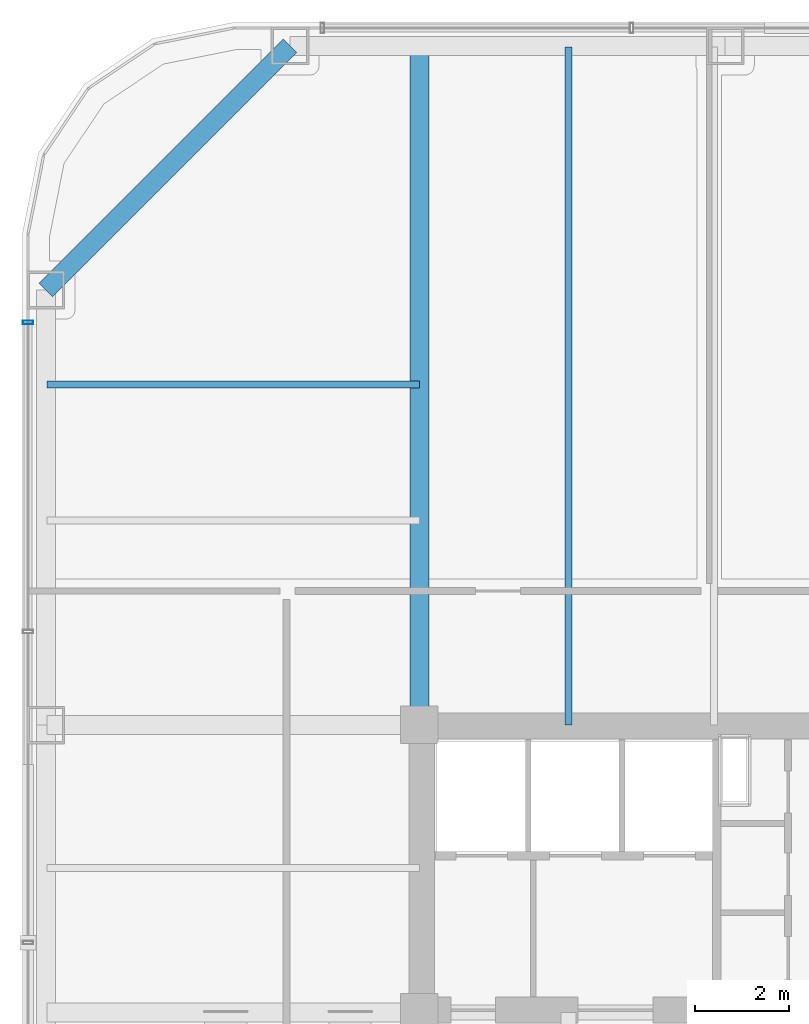
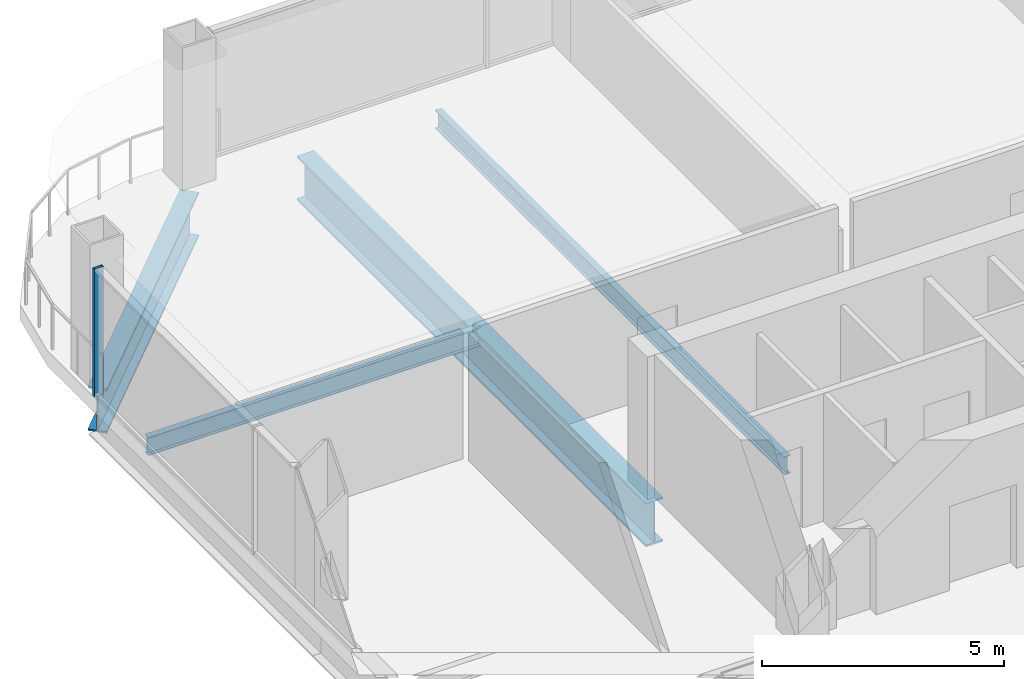
# One storey, part 10 of 20: 4 beams, 1 member, 1 element without a shape of its own.
"""IFC4 building model written with IfcOpenShell, lengths in metres."""

import ifcopenshell
import ifcopenshell.guid

model = None  # the IFC model being written
_history = None  # IfcOwnerHistory: only IFC2X3 demands one
_inside = {}  # id of a spatial element -> (the spatial element, [elements in it])
_under = {}  # id of a project, library or spatial element -> (it, [spatial elements below it])
_declared = {}  # id of a project -> (the project, [libraries it declares])
_typed = {}  # id of a type object -> (the type object, [elements of that type])
_made_of = {}  # id of a material, layer set ... -> (it, [elements and type objects made of it])


def new_model(schema):
    """Start an empty IFC model of exactly this schema.

    Asked for "IFC4X3", IfcOpenShell would pick the latest addendum, in which some entities
    have other attributes; the version numbers below select the first issue.
    IFC2X3 requires an IfcOwnerHistory on every rooted entity: one is made here for all.
    """
    global model, _history
    if schema == "IFC4X3":
        model = ifcopenshell.file(schema_version=(4, 3, 0, 0))
    else:
        model = ifcopenshell.file(schema=schema)
    _inside.clear()
    _under.clear()
    _declared.clear()
    _typed.clear()
    _made_of.clear()
    _history = None
    if model.schema == "IFC2X3":
        org = make("IfcOrganization", Name="unknown")
        user = make(
            "IfcPersonAndOrganization",
            ThePerson=make("IfcPerson", FamilyName="unknown"),
            TheOrganization=org,
        )
        app = make(
            "IfcApplication",
            ApplicationDeveloper=org,
            Version="unknown",
            ApplicationFullName="unknown",
            ApplicationIdentifier="unknown",
        )
        _history = make(
            "IfcOwnerHistory",
            OwningUser=user,
            OwningApplication=app,
            ChangeAction="ADDED",
            CreationDate=0,
        )
    return model


def make(cls, **values):
    """One entity of the class cls with the attributes given. An attribute that is None is left unset."""
    return model.create_entity(
        cls, **{name: value for name, value in values.items() if value is not None}
    )


def rooted(cls, **values):
    """An entity with a GlobalId (a new one), such as an element, a storey or a relation."""
    return make(cls, GlobalId=ifcopenshell.guid.new(), OwnerHistory=_history, **values)


def si_unit(unit_type, name, prefix=None):
    """IfcSIUnit, for example si_unit("LENGTHUNIT", "METRE", prefix="MILLI")."""
    return make("IfcSIUnit", UnitType=unit_type, Prefix=prefix, Name=name)


def assignment(units):
    """IfcUnitAssignment: the units of a project."""
    return None if units is None else make("IfcUnitAssignment", Units=units)


def point(xyz):
    """IfcCartesianPoint."""
    return None if xyz is None else make("IfcCartesianPoint", Coordinates=xyz)


def direction(xyz):
    """IfcDirection."""
    return None if xyz is None else make("IfcDirection", DirectionRatios=xyz)


def frame(location, z_axis=None, x_axis=None):
    """IfcAxis2Placement3D, a coordinate frame: its origin and axes. An axis left out is left unset."""
    return make(
        "IfcAxis2Placement3D",
        Location=point(location),
        Axis=direction(z_axis),
        RefDirection=direction(x_axis),
    )


def frame_2d(location, x_axis=None):
    """IfcAxis2Placement2D, a coordinate frame in the plane: its origin and x axis."""
    return make(
        "IfcAxis2Placement2D", Location=point(location), RefDirection=direction(x_axis)
    )


def origin():
    """The frame at (0, 0, 0) with its axes left unset."""
    return frame((0.0, 0.0, 0.0))


def origin_2d():
    """The frame at (0, 0) in the plane with its x axis left unset."""
    return frame_2d((0.0, 0.0))


def place(relative_to, where):
    """IfcLocalPlacement: puts the frame where relative to a parent placement (None: the world)."""
    return make(
        "IfcLocalPlacement", PlacementRelTo=relative_to, RelativePlacement=where
    )


def context(
    kind, dimensions, precision=None, world=None, true_north=None, identifier=None
):
    """IfcGeometricRepresentationContext, for example the 3D "Model" context."""
    return make(
        "IfcGeometricRepresentationContext",
        ContextIdentifier=identifier,
        ContextType=kind,
        CoordinateSpaceDimension=dimensions,
        Precision=precision,
        WorldCoordinateSystem=world,
        TrueNorth=true_north,
    )


def subcontext(parent, identifier, kind, view, scale=None):
    """IfcGeometricRepresentationSubContext, for example "Body" below "Model"."""
    return make(
        "IfcGeometricRepresentationSubContext",
        ContextIdentifier=identifier,
        ContextType=kind,
        ParentContext=parent,
        TargetScale=scale,
        TargetView=view,
    )


def project(units=None, contexts=None):
    """IfcProject with its units and contexts."""
    return rooted(
        "IfcProject",
        Name="project",
        RepresentationContexts=contexts,
        UnitsInContext=assignment(units),
    )


def spatial(cls, under=None, at=None, **own):
    """A site, building, storey or space (cls), placed at a placement, below another one or the project."""
    s = rooted(cls, ObjectPlacement=at, **own)
    if under is not None:
        _under.setdefault(under.id(), (under, []))[1].append(s)
    return s


def profile(cls, at=None, kind="AREA", **sizes):
    """A parametric profile (cls). Its sizes go by their IFC names, for example OverallWidth=200.0."""
    return make(cls, ProfileType=kind, Position=at, **sizes)


def hollow_rectangle(**sizes):
    """IfcRectangleHollowProfileDef."""
    return profile("IfcRectangleHollowProfileDef", **sizes)


def i_section(**sizes):
    """IfcIShapeProfileDef."""
    return profile("IfcIShapeProfileDef", **sizes)


def extrude(swept, where, along, depth):
    """IfcExtrudedAreaSolid: the profile swept, set in the frame where, extruded along a direction by depth."""
    return make(
        "IfcExtrudedAreaSolid",
        SweptArea=swept,
        Position=where,
        ExtrudedDirection=direction(along),
        Depth=depth,
    )


def shape(context_of_items, identifier, shape_type, items):
    """IfcShapeRepresentation: the items that make up one representation, for example the "Body"."""
    return make(
        "IfcShapeRepresentation",
        ContextOfItems=context_of_items,
        RepresentationIdentifier=identifier,
        RepresentationType=shape_type,
        Items=items,
    )


def material(Name=None, Category=None):
    """IfcMaterial."""
    return make("IfcMaterial", Name=Name, Category=Category)


def layer(
    of_material, thickness, ventilated=None, Name=None, Category=None, Priority=None
):
    """IfcMaterialLayer: one layer of a wall or slab, of a material (None: an air gap)."""
    return make(
        "IfcMaterialLayer",
        Material=of_material,
        LayerThickness=thickness,
        IsVentilated=ventilated,
        Name=Name,
        Category=Category,
        Priority=Priority,
    )


def layer_set(layers, Name=None):
    """IfcMaterialLayerSet."""
    return make("IfcMaterialLayerSet", MaterialLayers=layers, LayerSetName=Name)


def material_profile(
    of_material, cross_section, Name=None, Category=None, Priority=None
):
    """IfcMaterialProfile: a cross section and its material."""
    return make(
        "IfcMaterialProfile",
        Name=Name,
        Material=of_material,
        Profile=cross_section,
        Priority=Priority,
        Category=Category,
    )


def profile_set(profiles, Name=None, composite=None):
    """IfcMaterialProfileSet."""
    return make(
        "IfcMaterialProfileSet",
        Name=Name,
        MaterialProfiles=profiles,
        CompositeProfile=composite,
    )


def made_of(thing, what):
    """Note that an element or type object is made of a material, layer set ...; save() writes the relation."""
    if what is not None:
        _made_of.setdefault(what.id(), (what, []))[1].append(thing)
    return thing


def type_object(cls, material=None, **own):
    """A type object (cls), such as IfcWallType, which elements share."""
    return made_of(rooted(cls, **own), material)


def element(
    cls,
    number,
    at=None,
    inside=None,
    cuts=None,
    type_object=None,
    material=None,
    context=None,
    identifier="Body",
    shape_type=None,
    held_by="IfcProductDefinitionShape",
    body=None,
    shapes=None,
    **own,
):
    """One element of the class cls, such as IfcWall. Its Tag is "e" and its number.

    at: its placement. inside: the storey or other place that contains it. cuts: it is an
    opening in that element (IfcRelVoidsElement). A single representation is given by context,
    identifier, shape_type and body (its items); several are given by shapes. held_by: the class
    of the entity that holds the representations. save() writes the other relations.
    """
    e = rooted(cls, Tag="e%d" % number, ObjectPlacement=at, **own)
    if body is not None:
        shapes = [shape(context, identifier, shape_type, body)]
    if shapes is not None:
        e.Representation = make(held_by, Representations=shapes)
    if inside is not None:
        _inside.setdefault(inside.id(), (inside, []))[1].append(e)
    if cuts is not None:
        rooted(
            "IfcRelVoidsElement", RelatingBuildingElement=cuts, RelatedOpeningElement=e
        )
    if type_object is not None:
        _typed.setdefault(type_object.id(), (type_object, []))[1].append(e)
    return made_of(e, material)


def aggregate(whole, parts):
    """IfcRelAggregates: a whole, such as a stair, and the parts it consists of."""
    return rooted("IfcRelAggregates", RelatingObject=whole, RelatedObjects=parts)


def save(model, path):
    """Write the relations noted so far, then the file.

    IfcRelAggregates (storeys below a building ...), IfcRelContainedInSpatialStructure (elements
    in a storey), IfcRelDefinesByType, IfcRelAssociatesMaterial and IfcRelDeclares: one each for
    every whole, place, type object, material and project.
    """
    for whole, parts in _under.values():
        aggregate(whole, parts)
    for where, things in _inside.values():
        rooted(
            "IfcRelContainedInSpatialStructure",
            RelatedElements=things,
            RelatingStructure=where,
        )
    for kind, things in _typed.values():
        rooted("IfcRelDefinesByType", RelatedObjects=things, RelatingType=kind)
    for what, things in _made_of.values():
        rooted("IfcRelAssociatesMaterial", RelatedObjects=things, RelatingMaterial=what)
    for by, libraries in _declared.values():
        rooted("IfcRelDeclares", RelatingContext=by, RelatedDefinitions=libraries)
    model.write(path)


model = new_model("IFC4")

# Units and contexts
model_context = context("Model", 3, precision=1e-05, world=origin(), true_north=direction((0.0, 1.0)))
body_context = subcontext(model_context, "Body", "Model", "MODEL_VIEW")
ifc_project = project(units=[si_unit("LENGTHUNIT", "METRE"), si_unit("AREAUNIT", "SQUARE_METRE"), si_unit("VOLUMEUNIT", "CUBIC_METRE"), si_unit("PLANEANGLEUNIT", "RADIAN"), si_unit("MASSUNIT", "GRAM", prefix="KILO")], contexts=[model_context])

# Site, building, storey
site_placement = place(None, origin())
site = spatial("IfcSite", under=ifc_project, at=site_placement, CompositionType="ELEMENT")
building_placement = place(site_placement, origin())
building = spatial("IfcBuilding", under=site, at=building_placement, Name="Qhalaya Broadcast Tower", CompositionType="ELEMENT")
storey_placement = place(building_placement, frame((0.0, 0.0, 104.85009765625)))
storey = spatial("IfcBuildingStorey", under=building, at=storey_placement, Name="L30", CompositionType="ELEMENT", Elevation=104.85009765625)

# Beams
ifc_material_1 = material(Name="Structural Steel ASTM A992 Grade 50", Category="steel")
ifc_material_profile_1 = material_profile(ifc_material_1, i_section(OverallWidth=0.154052734375, OverallDepth=0.458984375, WebThickness=0.009033203125, FlangeThickness=0.015380859375, at=origin_2d()), Name="W18X46")
ifc_profile_set_1 = profile_set([ifc_material_profile_1], Name="Structural Steel ASTM A992 Grade 50")
beam_type_1 = type_object("IfcBeamType", Name="Composite Floor Joist J04", PredefinedType="JOIST", material=ifc_profile_set_1)
beam_1_placement = place(storey_placement, frame((-6.199951171875, 9.949951171875, -0.609619140625), z_axis=(0.0, 1.0, 0.0), x_axis=(-1.0, 0.0, 0.0)))
element("IfcBeam", 1, at=beam_1_placement, inside=storey, type_object=beam_type_1, Name="L30 J04 L30-JNN1-1", PredefinedType="JOIST", context=body_context, shape_type="SweptSolid", body=[
    extrude(i_section(OverallWidth=0.154052734375, OverallDepth=0.458984375, WebThickness=0.009033203125, FlangeThickness=0.015380859375, at=origin_2d()), origin(), (0.0, 0.0, 1.0), 14.43994140625),
])
beam_2_placement = place(storey_placement, frame((-17.31005859375, 17.199951171875, -0.609619140625), z_axis=(1.0, 0.0, 0.0), x_axis=(0.0, 1.0, 0.0)))
element("IfcBeam", 2, at=beam_2_placement, inside=storey, type_object=beam_type_1, Name="L30 J04 L30-JWE7W-1", PredefinedType="JOIST", context=body_context, shape_type="SweptSolid", body=[
    extrude(i_section(OverallWidth=0.154052734375, OverallDepth=0.458984375, WebThickness=0.009033203125, FlangeThickness=0.015380859375, at=origin_2d()), origin(), (0.0, 0.0, 1.0), 7.93505859375),
])
ifc_material_profile_2 = material_profile(ifc_material_1, i_section(OverallWidth=0.404052734375, OverallDepth=1.117919921875, WebThickness=0.026123046875, FlangeThickness=0.044921875, at=origin_2d()), Name="W44X335")
ifc_profile_set_2 = profile_set([ifc_material_profile_2], Name="Structural Steel ASTM A992 Grade 50")
beam_type_2 = type_object("IfcBeamType", Name="Podium Long-Span Primary Girder PG1", PredefinedType="USERDEFINED", material=ifc_profile_set_2)
beam_3_placement = place(storey_placement, frame((-12.1298828125, 24.409912109375, -0.939208984375), z_axis=(-0.707123380132, -0.707090181851, 0.0), x_axis=(0.707090181851, -0.707123380132, 0.0)))
element("IfcBeam", 3, at=beam_3_placement, inside=storey, type_object=beam_type_2, Name="L30 PG1 L30-SPR-12", ObjectType="GIRDER", PredefinedType="USERDEFINED", context=body_context, shape_type="SweptSolid", body=[
    extrude(i_section(OverallWidth=0.404052734375, OverallDepth=1.117919921875, WebThickness=0.026123046875, FlangeThickness=0.044921875, at=origin_2d()), origin(), (0.0, 0.0, 1.0), 7.35400390625),
])
beam_4_placement = place(storey_placement, frame((-9.375, 9.949951171875, -0.939208984375), z_axis=(0.0, 1.0, 0.0), x_axis=(-1.0, 0.0, 0.0)))
element("IfcBeam", 4, at=beam_4_placement, inside=storey, type_object=beam_type_2, Name="L30 PG1 L30-PGXN1-1", ObjectType="GIRDER", PredefinedType="USERDEFINED", context=body_context, shape_type="SweptSolid", body=[
    extrude(i_section(OverallWidth=0.404052734375, OverallDepth=1.117919921875, WebThickness=0.026123046875, FlangeThickness=0.044921875, at=origin_2d()), origin(), (0.0, 0.0, 1.0), 14.43994140625),
])

# Curtain wall, member
ifc_material_2 = material(Name="Solar-Control Low-E Triple Glazing", Category="glass")
ifc_layer = layer(ifc_material_2, 0.219970703125, Name="Solar-Control Low-E Triple Glazing")
ifc_layer_set = layer_set([ifc_layer], Name="Solar-Control Low-E Triple Glazing")
curtain_wall_type = type_object("IfcCurtainWallType", Name="Recessed Sky-Garden Neck Ribbon Curtain Wall CW-05", PredefinedType="NOTDEFINED", material=ifc_layer_set)
curtain_wall_placement = place(storey_placement, origin())
curtain_wall = element("IfcCurtainWall", 5, at=curtain_wall_placement, inside=storey, type_object=curtain_wall_type, Name="L30 Unitised Curtain Wall L30-CW-W", PredefinedType="NOTDEFINED")
ifc_material_3 = material(Name="Anodised Aluminium 6063-T6", Category="aluminium")
ifc_material_profile_3 = material_profile(ifc_material_3, hollow_rectangle(XDim=0.074951171875, YDim=0.219970703125, WallThickness=0.00390625, at=origin_2d()), Name="ALU-MUL 75x220x4")
ifc_profile_set_3 = profile_set([ifc_material_profile_3], Name="Anodised Aluminium 6063-T6")
member_type = type_object("IfcMemberType", Name="Unitised Curtain-Wall Mullion M01", PredefinedType="MULLION", material=ifc_profile_set_3)
member_placement = place(storey_placement, frame((-17.7099609375, 18.5224609375, 0.0), z_axis=(0.0, 0.0, 1.0), x_axis=(0.0, -1.0, 0.0)))
member = element("IfcMember", 6, at=member_placement, type_object=member_type, Name="CW-05 mullion 1", PredefinedType="MULLION", context=body_context, shape_type="SweptSolid", body=[
    extrude(hollow_rectangle(XDim=0.074951171875, YDim=0.219970703125, WallThickness=0.00390625, at=origin_2d()), origin(), (0.0, 0.0, 1.0), 3.219970703125),
])
aggregate(curtain_wall, [member])

save(model, "model.ifc")
